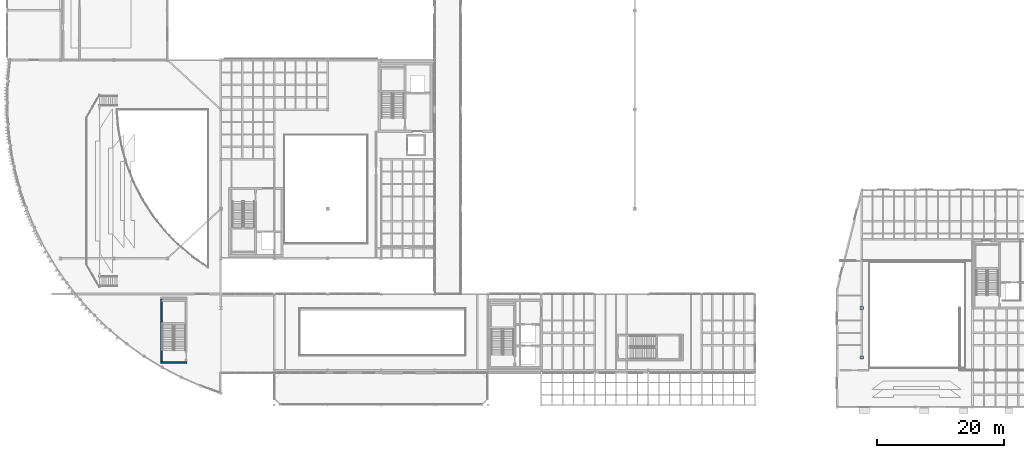
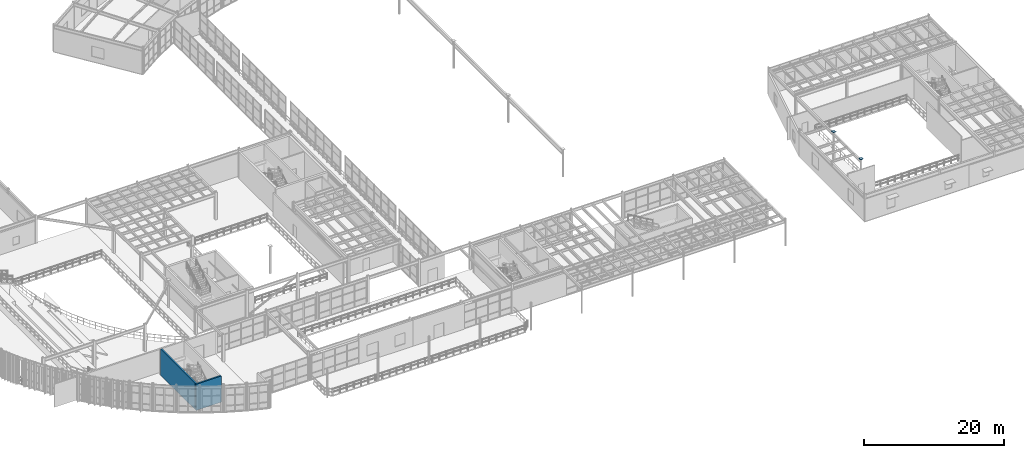
# One storey, part 94 of 116: 2 plates, 2 walls.
"""IFC4 building model written with IfcOpenShell, lengths in metres."""

from ifc_helpers import new_model, si_unit, direction, frame, frame_2d, origin, origin_2d, place, context, subcontext, project, spatial, rectangle, extrude, material, layer, layer_set, type_object, element, save


model = new_model("IFC4")

# Units and contexts
model_context = context("Model", 3, precision=1e-05, world=origin(), true_north=direction((0.0, 1.0)))
body_context = subcontext(model_context, "Body", "Model", "MODEL_VIEW")
ifc_project = project(units=[si_unit("LENGTHUNIT", "METRE"), si_unit("AREAUNIT", "SQUARE_METRE"), si_unit("VOLUMEUNIT", "CUBIC_METRE"), si_unit("PLANEANGLEUNIT", "RADIAN"), si_unit("MASSUNIT", "GRAM", prefix="KILO")], contexts=[model_context])

# Site, building, storey
site_placement = place(None, origin())
site = spatial("IfcSite", under=ifc_project, at=site_placement, CompositionType="ELEMENT")
building_placement = place(site_placement, origin())
building = spatial("IfcBuilding", under=site, at=building_placement, Name="Selat Folded Stagehouse", CompositionType="ELEMENT")
storey_placement = place(building_placement, frame((0.0, 0.0, 5.39990234375)))
storey = spatial("IfcBuildingStorey", under=building, at=storey_placement, Name="L01", CompositionType="ELEMENT", Elevation=5.39990234375)

# Plates
ifc_material_1 = material(Name="Steel S355", Category="steel")
ifc_layer_1 = layer(ifc_material_1, 0.02490234375)
ifc_layer_set_1 = layer_set([ifc_layer_1], Name="Steel S355")
plate_type = type_object("IfcPlateType", Name="PLT-BASE-500x500x25", PredefinedType="USERDEFINED", material=ifc_layer_set_1)
for number, where, z_axis, x_axis, name in (
    (1, (134.39990234375, 7.800048828125, 4.800048828125), (0.0, 0.0, 1.0), (1.0, 0.0, 0.0), "Pilaster hollow end cap plate 3"),
    (2, (134.39990234375, 15.60009765625, 4.800048828125), (0.0, 0.0, 1.0), (1.0, 0.0, 0.0), "Pilaster hollow end cap plate 4"),
):
    element("IfcPlate", number, at=place(storey_placement, frame(where, z_axis=z_axis, x_axis=x_axis)), inside=storey, type_object=plate_type, Name=name, ObjectType="BASE_PLATE", PredefinedType="USERDEFINED", context=body_context, shape_type="SweptSolid", body=[
        extrude(rectangle(XDim=0.5, YDim=0.5, at=origin_2d()), origin(), (0.0, 0.0, 1.0), 0.02490234375),
    ])

# Walls
ifc_material_2 = material(Name="Concrete C50/60", Category="concrete")
ifc_layer_2 = layer(ifc_material_2, 0.25)
ifc_layer_set_2 = layer_set([ifc_layer_2], Name="Concrete C50/60")
wall_type = type_object("IfcWallType", Name="WAL-CORE-250", PredefinedType="SHEAR", material=ifc_layer_set_2)
wall_1_placement = place(storey_placement, frame((28.264892578125, 7.0, 0.0), z_axis=(0.0, 0.0, 1.0), x_axis=(-1.0, 0.0, 0.0)))
element("IfcWall", 3, at=wall_1_placement, inside=storey, type_object=wall_type, Name="L01 ST-09 south shaft wall", PredefinedType="SHEAR", context=body_context, shape_type="SweptSolid", body=[
    extrude(rectangle(XDim=4.14990234375, YDim=0.25, at=frame_2d((2.074951171875, 0.0))), origin(), (0.0, 0.0, 1.0), 4.580078125),
])
wall_2_placement = place(storey_placement, frame((24.239990234375, 7.125, 0.0), z_axis=(0.0, 0.0, 1.0), x_axis=(0.0, 1.0, 0.0)))
element("IfcWall", 4, at=wall_2_placement, inside=storey, type_object=wall_type, Name="L01 ST-09 west shaft wall", PredefinedType="SHEAR", context=body_context, shape_type="SweptSolid", body=[
    extrude(rectangle(XDim=9.909912109375, YDim=0.25, at=frame_2d((4.955078125, 0.0))), origin(), (0.0, 0.0, 1.0), 4.580078125),
])

save(model, "model.ifc")
